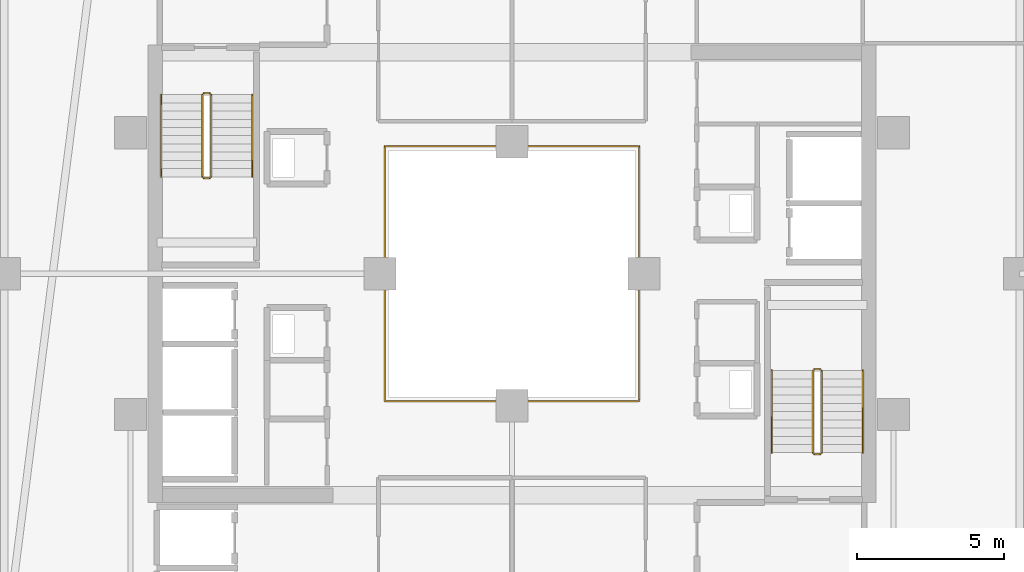
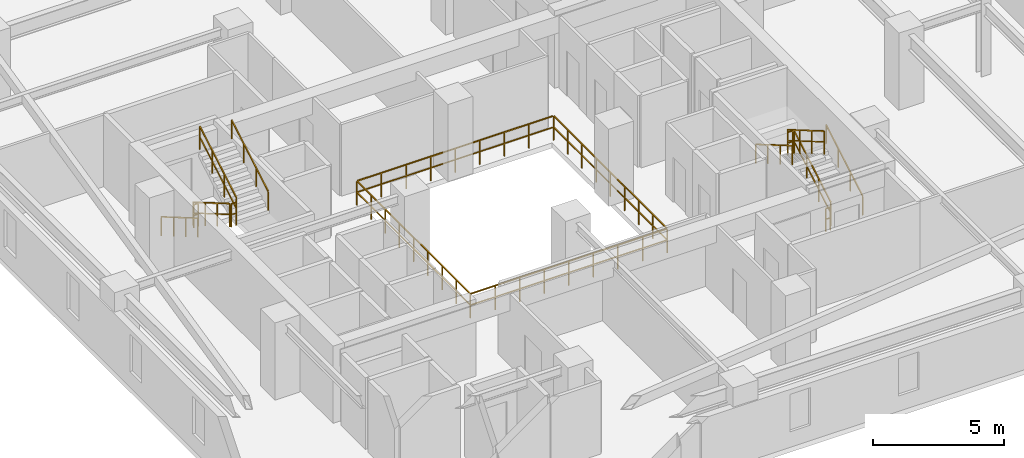
# One storey, part 31 of 32: 13 railings.
"""IFC4 building model written with IfcOpenShell, lengths in metres."""

import ifcopenshell
import ifcopenshell.guid

model = None  # the IFC model being written
_history = None  # IfcOwnerHistory: only IFC2X3 demands one
_inside = {}  # id of a spatial element -> (the spatial element, [elements in it])
_under = {}  # id of a project, library or spatial element -> (it, [spatial elements below it])
_declared = {}  # id of a project -> (the project, [libraries it declares])
_typed = {}  # id of a type object -> (the type object, [elements of that type])
_made_of = {}  # id of a material, layer set ... -> (it, [elements and type objects made of it])


def new_model(schema):
    """Start an empty IFC model of exactly this schema.

    Asked for "IFC4X3", IfcOpenShell would pick the latest addendum, in which some entities
    have other attributes; the version numbers below select the first issue.
    IFC2X3 requires an IfcOwnerHistory on every rooted entity: one is made here for all.
    """
    global model, _history
    if schema == "IFC4X3":
        model = ifcopenshell.file(schema_version=(4, 3, 0, 0))
    else:
        model = ifcopenshell.file(schema=schema)
    _inside.clear()
    _under.clear()
    _declared.clear()
    _typed.clear()
    _made_of.clear()
    _history = None
    if model.schema == "IFC2X3":
        org = make("IfcOrganization", Name="unknown")
        user = make(
            "IfcPersonAndOrganization",
            ThePerson=make("IfcPerson", FamilyName="unknown"),
            TheOrganization=org,
        )
        app = make(
            "IfcApplication",
            ApplicationDeveloper=org,
            Version="unknown",
            ApplicationFullName="unknown",
            ApplicationIdentifier="unknown",
        )
        _history = make(
            "IfcOwnerHistory",
            OwningUser=user,
            OwningApplication=app,
            ChangeAction="ADDED",
            CreationDate=0,
        )
    return model


def make(cls, **values):
    """One entity of the class cls with the attributes given. An attribute that is None is left unset."""
    return model.create_entity(
        cls, **{name: value for name, value in values.items() if value is not None}
    )


def rooted(cls, **values):
    """An entity with a GlobalId (a new one), such as an element, a storey or a relation."""
    return make(cls, GlobalId=ifcopenshell.guid.new(), OwnerHistory=_history, **values)


def si_unit(unit_type, name, prefix=None):
    """IfcSIUnit, for example si_unit("LENGTHUNIT", "METRE", prefix="MILLI")."""
    return make("IfcSIUnit", UnitType=unit_type, Prefix=prefix, Name=name)


def assignment(units):
    """IfcUnitAssignment: the units of a project."""
    return None if units is None else make("IfcUnitAssignment", Units=units)


def point(xyz):
    """IfcCartesianPoint."""
    return None if xyz is None else make("IfcCartesianPoint", Coordinates=xyz)


def direction(xyz):
    """IfcDirection."""
    return None if xyz is None else make("IfcDirection", DirectionRatios=xyz)


def frame(location, z_axis=None, x_axis=None):
    """IfcAxis2Placement3D, a coordinate frame: its origin and axes. An axis left out is left unset."""
    return make(
        "IfcAxis2Placement3D",
        Location=point(location),
        Axis=direction(z_axis),
        RefDirection=direction(x_axis),
    )


def frame_2d(location, x_axis=None):
    """IfcAxis2Placement2D, a coordinate frame in the plane: its origin and x axis."""
    return make(
        "IfcAxis2Placement2D", Location=point(location), RefDirection=direction(x_axis)
    )


def origin():
    """The frame at (0, 0, 0) with its axes left unset."""
    return frame((0.0, 0.0, 0.0))


def origin_2d():
    """The frame at (0, 0) in the plane with its x axis left unset."""
    return frame_2d((0.0, 0.0))


def place(relative_to, where):
    """IfcLocalPlacement: puts the frame where relative to a parent placement (None: the world)."""
    return make(
        "IfcLocalPlacement", PlacementRelTo=relative_to, RelativePlacement=where
    )


def context(
    kind, dimensions, precision=None, world=None, true_north=None, identifier=None
):
    """IfcGeometricRepresentationContext, for example the 3D "Model" context."""
    return make(
        "IfcGeometricRepresentationContext",
        ContextIdentifier=identifier,
        ContextType=kind,
        CoordinateSpaceDimension=dimensions,
        Precision=precision,
        WorldCoordinateSystem=world,
        TrueNorth=true_north,
    )


def subcontext(parent, identifier, kind, view, scale=None):
    """IfcGeometricRepresentationSubContext, for example "Body" below "Model"."""
    return make(
        "IfcGeometricRepresentationSubContext",
        ContextIdentifier=identifier,
        ContextType=kind,
        ParentContext=parent,
        TargetScale=scale,
        TargetView=view,
    )


def project(units=None, contexts=None):
    """IfcProject with its units and contexts."""
    return rooted(
        "IfcProject",
        Name="project",
        RepresentationContexts=contexts,
        UnitsInContext=assignment(units),
    )


def spatial(cls, under=None, at=None, **own):
    """A site, building, storey or space (cls), placed at a placement, below another one or the project."""
    s = rooted(cls, ObjectPlacement=at, **own)
    if under is not None:
        _under.setdefault(under.id(), (under, []))[1].append(s)
    return s


def profile(cls, at=None, kind="AREA", **sizes):
    """A parametric profile (cls). Its sizes go by their IFC names, for example OverallWidth=200.0."""
    return make(cls, ProfileType=kind, Position=at, **sizes)


def rectangle(**sizes):
    """IfcRectangleProfileDef."""
    return profile("IfcRectangleProfileDef", **sizes)


def extrude(swept, where, along, depth):
    """IfcExtrudedAreaSolid: the profile swept, set in the frame where, extruded along a direction by depth."""
    return make(
        "IfcExtrudedAreaSolid",
        SweptArea=swept,
        Position=where,
        ExtrudedDirection=direction(along),
        Depth=depth,
    )


def shape(context_of_items, identifier, shape_type, items):
    """IfcShapeRepresentation: the items that make up one representation, for example the "Body"."""
    return make(
        "IfcShapeRepresentation",
        ContextOfItems=context_of_items,
        RepresentationIdentifier=identifier,
        RepresentationType=shape_type,
        Items=items,
    )


def material(Name=None, Category=None):
    """IfcMaterial."""
    return make("IfcMaterial", Name=Name, Category=Category)


def made_of(thing, what):
    """Note that an element or type object is made of a material, layer set ...; save() writes the relation."""
    if what is not None:
        _made_of.setdefault(what.id(), (what, []))[1].append(thing)
    return thing


def type_object(cls, material=None, **own):
    """A type object (cls), such as IfcWallType, which elements share."""
    return made_of(rooted(cls, **own), material)


def element(
    cls,
    number,
    at=None,
    inside=None,
    cuts=None,
    type_object=None,
    material=None,
    context=None,
    identifier="Body",
    shape_type=None,
    held_by="IfcProductDefinitionShape",
    body=None,
    shapes=None,
    **own,
):
    """One element of the class cls, such as IfcWall. Its Tag is "e" and its number.

    at: its placement. inside: the storey or other place that contains it. cuts: it is an
    opening in that element (IfcRelVoidsElement). A single representation is given by context,
    identifier, shape_type and body (its items); several are given by shapes. held_by: the class
    of the entity that holds the representations. save() writes the other relations.
    """
    e = rooted(cls, Tag="e%d" % number, ObjectPlacement=at, **own)
    if body is not None:
        shapes = [shape(context, identifier, shape_type, body)]
    if shapes is not None:
        e.Representation = make(held_by, Representations=shapes)
    if inside is not None:
        _inside.setdefault(inside.id(), (inside, []))[1].append(e)
    if cuts is not None:
        rooted(
            "IfcRelVoidsElement", RelatingBuildingElement=cuts, RelatedOpeningElement=e
        )
    if type_object is not None:
        _typed.setdefault(type_object.id(), (type_object, []))[1].append(e)
    return made_of(e, material)


def aggregate(whole, parts):
    """IfcRelAggregates: a whole, such as a stair, and the parts it consists of."""
    return rooted("IfcRelAggregates", RelatingObject=whole, RelatedObjects=parts)


def save(model, path):
    """Write the relations noted so far, then the file.

    IfcRelAggregates (storeys below a building ...), IfcRelContainedInSpatialStructure (elements
    in a storey), IfcRelDefinesByType, IfcRelAssociatesMaterial and IfcRelDeclares: one each for
    every whole, place, type object, material and project.
    """
    for whole, parts in _under.values():
        aggregate(whole, parts)
    for where, things in _inside.values():
        rooted(
            "IfcRelContainedInSpatialStructure",
            RelatedElements=things,
            RelatingStructure=where,
        )
    for kind, things in _typed.values():
        rooted("IfcRelDefinesByType", RelatedObjects=things, RelatingType=kind)
    for what, things in _made_of.values():
        rooted("IfcRelAssociatesMaterial", RelatedObjects=things, RelatingMaterial=what)
    for by, libraries in _declared.values():
        rooted("IfcRelDeclares", RelatingContext=by, RelatedDefinitions=libraries)
    model.write(path)


model = new_model("IFC4")

# Units and contexts
model_context = context("Model", 3, precision=1e-05, world=origin(), true_north=direction((0.0, 1.0)))
body_context = subcontext(model_context, "Body", "Model", "MODEL_VIEW")
ifc_project = project(units=[si_unit("LENGTHUNIT", "METRE"), si_unit("AREAUNIT", "SQUARE_METRE"), si_unit("VOLUMEUNIT", "CUBIC_METRE"), si_unit("PLANEANGLEUNIT", "RADIAN"), si_unit("MASSUNIT", "GRAM", prefix="KILO")], contexts=[model_context])

# Site, building, storey
site_placement = place(None, origin())
site = spatial("IfcSite", under=ifc_project, at=site_placement, CompositionType="ELEMENT")
building_placement = place(site_placement, origin())
building = spatial("IfcBuilding", under=site, at=building_placement, Name="Thornwick Lancets Civic Towers", CompositionType="ELEMENT")
storey_placement = place(building_placement, frame((0.0, 0.0, 156.300048828125)))
storey = spatial("IfcBuildingStorey", under=building, at=storey_placement, Name="L41", CompositionType="ELEMENT", Elevation=156.300048828125)

# Railings
ifc_material_1 = material(Name="Laminated glass and bronze steel S355", Category="steel")
railing_type_1 = type_object("IfcRailingType", Name="RAIL_ATRIUM_GUARD", PredefinedType="BALUSTRADE", material=ifc_material_1)
railing_1_placement = place(storey_placement, frame((84.159912109375, 22.659912109375, 0.0)))
element("IfcRailing", 1, at=railing_1_placement, inside=storey, type_object=railing_type_1, Name="L41 Tower B Central Atrium Guard Balustrade", PredefinedType="BALUSTRADE", context=body_context, shape_type="SweptSolid", body=[
    extrude(rectangle(XDim=0.048095703125, YDim=0.048095703125, at=origin_2d()), frame((0.0, 0.0, 1.1259765625), z_axis=(1.0, 0.0, 0.0), x_axis=(0.0, 1.0, 0.0)), (0.0, 0.0, 1.0), 8.64892578125),
    extrude(rectangle(XDim=0.0419921875, YDim=0.0419921875, at=origin_2d()), frame((0.03759765625, 0.0, 0.597900390625), z_axis=(1.0, 0.0, 0.0), x_axis=(0.0, 1.0, 0.0)), (0.0, 0.0, 1.0), 1.010009765625),
    extrude(rectangle(XDim=0.0419921875, YDim=0.0419921875, at=origin_2d()), frame((1.12255859375, 0.0, 0.597900390625), z_axis=(1.0, 0.0, 0.0), x_axis=(0.0, 1.0, 0.0)), (0.0, 0.0, 1.0), 1.010009765625),
    extrude(rectangle(XDim=0.0419921875, YDim=0.0419921875, at=origin_2d()), frame((2.20751953125, 0.0, 0.597900390625), z_axis=(1.0, 0.0, 0.0), x_axis=(0.0, 1.0, 0.0)), (0.0, 0.0, 1.0), 1.010009765625),
    extrude(rectangle(XDim=0.0419921875, YDim=0.0419921875, at=origin_2d()), frame((3.29248046875, 0.0, 0.597900390625), z_axis=(1.0, 0.0, 0.0), x_axis=(0.0, 1.0, 0.0)), (0.0, 0.0, 1.0), 1.010009765625),
    extrude(rectangle(XDim=0.0419921875, YDim=0.0419921875, at=origin_2d()), frame((4.377685546875, 0.0, 0.597900390625), z_axis=(1.0, 0.0, 0.0), x_axis=(0.0, 1.0, 0.0)), (0.0, 0.0, 1.0), 1.010009765625),
    extrude(rectangle(XDim=0.0419921875, YDim=0.0419921875, at=origin_2d()), frame((5.462646484375, 0.0, 0.597900390625), z_axis=(1.0, 0.0, 0.0), x_axis=(0.0, 1.0, 0.0)), (0.0, 0.0, 1.0), 1.010009765625),
    extrude(rectangle(XDim=0.0419921875, YDim=0.0419921875, at=origin_2d()), frame((6.547607421875, 0.0, 0.597900390625), z_axis=(1.0, 0.0, 0.0), x_axis=(0.0, 1.0, 0.0)), (0.0, 0.0, 1.0), 1.010009765625),
    extrude(rectangle(XDim=0.0419921875, YDim=0.0419921875, at=origin_2d()), frame((7.632568359375, 0.0, 0.597900390625), z_axis=(1.0, 0.0, 0.0), x_axis=(0.0, 1.0, 0.0)), (0.0, 0.0, 1.0), 1.010009765625),
    extrude(rectangle(XDim=0.048095703125, YDim=0.048095703125, at=origin_2d()), frame((8.68017578125, 0.03125, 1.1259765625), z_axis=(0.0, 1.0, 0.0), x_axis=(-1.0, 0.0, 0.0)), (0.0, 0.0, 1.0), 8.61767578125),
    extrude(rectangle(XDim=0.0419921875, YDim=0.0419921875, at=origin_2d()), frame((8.68017578125, 0.03759765625, 0.597900390625), z_axis=(0.0, 1.0, 0.0), x_axis=(-1.0, 0.0, 0.0)), (0.0, 0.0, 1.0), 1.010009765625),
    extrude(rectangle(XDim=0.0419921875, YDim=0.0419921875, at=origin_2d()), frame((8.68017578125, 1.12255859375, 0.597900390625), z_axis=(0.0, 1.0, 0.0), x_axis=(-1.0, 0.0, 0.0)), (0.0, 0.0, 1.0), 1.010009765625),
    extrude(rectangle(XDim=0.0419921875, YDim=0.0419921875, at=origin_2d()), frame((8.68017578125, 2.20751953125, 0.597900390625), z_axis=(0.0, 1.0, 0.0), x_axis=(-1.0, 0.0, 0.0)), (0.0, 0.0, 1.0), 1.010009765625),
    extrude(rectangle(XDim=0.0419921875, YDim=0.0419921875, at=origin_2d()), frame((8.68017578125, 3.29248046875, 0.597900390625), z_axis=(0.0, 1.0, 0.0), x_axis=(-1.0, 0.0, 0.0)), (0.0, 0.0, 1.0), 1.010009765625),
    extrude(rectangle(XDim=0.0419921875, YDim=0.0419921875, at=origin_2d()), frame((8.68017578125, 4.377685546875, 0.597900390625), z_axis=(0.0, 1.0, 0.0), x_axis=(-1.0, 0.0, 0.0)), (0.0, 0.0, 1.0), 1.010009765625),
    extrude(rectangle(XDim=0.0419921875, YDim=0.0419921875, at=origin_2d()), frame((8.68017578125, 5.462646484375, 0.597900390625), z_axis=(0.0, 1.0, 0.0), x_axis=(-1.0, 0.0, 0.0)), (0.0, 0.0, 1.0), 1.010009765625),
    extrude(rectangle(XDim=0.0419921875, YDim=0.0419921875, at=origin_2d()), frame((8.68017578125, 6.547607421875, 0.597900390625), z_axis=(0.0, 1.0, 0.0), x_axis=(-1.0, 0.0, 0.0)), (0.0, 0.0, 1.0), 1.010009765625),
    extrude(rectangle(XDim=0.0419921875, YDim=0.0419921875, at=origin_2d()), frame((8.68017578125, 7.632568359375, 0.597900390625), z_axis=(0.0, 1.0, 0.0), x_axis=(-1.0, 0.0, 0.0)), (0.0, 0.0, 1.0), 1.010009765625),
    extrude(rectangle(XDim=0.048095703125, YDim=0.048095703125, at=origin_2d()), frame((8.64892578125, 8.68017578125, 1.1259765625), z_axis=(-1.0, 0.0, 0.0), x_axis=(0.0, -1.0, 0.0)), (0.0, 0.0, 1.0), 8.61767578125),
    extrude(rectangle(XDim=0.0419921875, YDim=0.0419921875, at=origin_2d()), frame((8.642578125, 8.68017578125, 0.597900390625), z_axis=(-1.0, 0.0, 0.0), x_axis=(0.0, -1.0, 0.0)), (0.0, 0.0, 1.0), 1.010009765625),
    extrude(rectangle(XDim=0.0419921875, YDim=0.0419921875, at=origin_2d()), frame((7.5576171875, 8.68017578125, 0.597900390625), z_axis=(-1.0, 0.0, 0.0), x_axis=(0.0, -1.0, 0.0)), (0.0, 0.0, 1.0), 1.010009765625),
    extrude(rectangle(XDim=0.0419921875, YDim=0.0419921875, at=origin_2d()), frame((6.47265625, 8.68017578125, 0.597900390625), z_axis=(-1.0, 0.0, 0.0), x_axis=(0.0, -1.0, 0.0)), (0.0, 0.0, 1.0), 1.010009765625),
    extrude(rectangle(XDim=0.0419921875, YDim=0.0419921875, at=origin_2d()), frame((5.3876953125, 8.68017578125, 0.597900390625), z_axis=(-1.0, 0.0, 0.0), x_axis=(0.0, -1.0, 0.0)), (0.0, 0.0, 1.0), 1.010009765625),
    extrude(rectangle(XDim=0.0419921875, YDim=0.0419921875, at=origin_2d()), frame((4.302490234375, 8.68017578125, 0.597900390625), z_axis=(-1.0, 0.0, 0.0), x_axis=(0.0, -1.0, 0.0)), (0.0, 0.0, 1.0), 1.010009765625),
    extrude(rectangle(XDim=0.0419921875, YDim=0.0419921875, at=origin_2d()), frame((3.217529296875, 8.68017578125, 0.597900390625), z_axis=(-1.0, 0.0, 0.0), x_axis=(0.0, -1.0, 0.0)), (0.0, 0.0, 1.0), 1.010009765625),
    extrude(rectangle(XDim=0.0419921875, YDim=0.0419921875, at=origin_2d()), frame((2.132568359375, 8.68017578125, 0.597900390625), z_axis=(-1.0, 0.0, 0.0), x_axis=(0.0, -1.0, 0.0)), (0.0, 0.0, 1.0), 1.010009765625),
    extrude(rectangle(XDim=0.0419921875, YDim=0.0419921875, at=origin_2d()), frame((1.047607421875, 8.68017578125, 0.597900390625), z_axis=(-1.0, 0.0, 0.0), x_axis=(0.0, -1.0, 0.0)), (0.0, 0.0, 1.0), 1.010009765625),
    extrude(rectangle(XDim=0.048095703125, YDim=0.048095703125, at=origin_2d()), frame((0.0, 8.64892578125, 1.1259765625), z_axis=(0.0, -1.0, 0.0), x_axis=(1.0, 0.0, 0.0)), (0.0, 0.0, 1.0), 8.64892578125),
    extrude(rectangle(XDim=0.0419921875, YDim=0.0419921875, at=origin_2d()), frame((0.0, 8.642578125, 0.597900390625), z_axis=(0.0, -1.0, 0.0), x_axis=(1.0, 0.0, 0.0)), (0.0, 0.0, 1.0), 1.010009765625),
    extrude(rectangle(XDim=0.0419921875, YDim=0.0419921875, at=origin_2d()), frame((0.0, 7.5576171875, 0.597900390625), z_axis=(0.0, -1.0, 0.0), x_axis=(1.0, 0.0, 0.0)), (0.0, 0.0, 1.0), 1.010009765625),
    extrude(rectangle(XDim=0.0419921875, YDim=0.0419921875, at=origin_2d()), frame((0.0, 6.47265625, 0.597900390625), z_axis=(0.0, -1.0, 0.0), x_axis=(1.0, 0.0, 0.0)), (0.0, 0.0, 1.0), 1.010009765625),
    extrude(rectangle(XDim=0.0419921875, YDim=0.0419921875, at=origin_2d()), frame((0.0, 5.3876953125, 0.597900390625), z_axis=(0.0, -1.0, 0.0), x_axis=(1.0, 0.0, 0.0)), (0.0, 0.0, 1.0), 1.010009765625),
    extrude(rectangle(XDim=0.0419921875, YDim=0.0419921875, at=origin_2d()), frame((0.0, 4.302490234375, 0.597900390625), z_axis=(0.0, -1.0, 0.0), x_axis=(1.0, 0.0, 0.0)), (0.0, 0.0, 1.0), 1.010009765625),
    extrude(rectangle(XDim=0.0419921875, YDim=0.0419921875, at=origin_2d()), frame((0.0, 3.217529296875, 0.597900390625), z_axis=(0.0, -1.0, 0.0), x_axis=(1.0, 0.0, 0.0)), (0.0, 0.0, 1.0), 1.010009765625),
    extrude(rectangle(XDim=0.0419921875, YDim=0.0419921875, at=origin_2d()), frame((0.0, 2.132568359375, 0.597900390625), z_axis=(0.0, -1.0, 0.0), x_axis=(1.0, 0.0, 0.0)), (0.0, 0.0, 1.0), 1.010009765625),
    extrude(rectangle(XDim=0.0419921875, YDim=0.0419921875, at=origin_2d()), frame((0.0, 1.047607421875, 0.597900390625), z_axis=(0.0, -1.0, 0.0), x_axis=(1.0, 0.0, 0.0)), (0.0, 0.0, 1.0), 1.010009765625),
    extrude(rectangle(XDim=0.0419921875, YDim=0.0419921875, at=origin_2d()), origin(), (0.0, 0.0, 1.0), 1.095703125),
    extrude(rectangle(XDim=0.0419921875, YDim=0.0419921875, at=origin_2d()), frame((1.0849609375, 0.0, 0.0)), (0.0, 0.0, 1.0), 1.095703125),
    extrude(rectangle(XDim=0.0419921875, YDim=0.0419921875, at=origin_2d()), frame((2.169921875, 0.0, 0.0)), (0.0, 0.0, 1.0), 1.095703125),
    extrude(rectangle(XDim=0.0419921875, YDim=0.0419921875, at=origin_2d()), frame((3.255126953125, 0.0, 0.0)), (0.0, 0.0, 1.0), 1.095703125),
    extrude(rectangle(XDim=0.0419921875, YDim=0.0419921875, at=origin_2d()), frame((4.340087890625, 0.0, 0.0)), (0.0, 0.0, 1.0), 1.095703125),
    extrude(rectangle(XDim=0.0419921875, YDim=0.0419921875, at=origin_2d()), frame((5.425048828125, 0.0, 0.0)), (0.0, 0.0, 1.0), 1.095703125),
    extrude(rectangle(XDim=0.0419921875, YDim=0.0419921875, at=origin_2d()), frame((6.51025390625, 0.0, 0.0)), (0.0, 0.0, 1.0), 1.095703125),
    extrude(rectangle(XDim=0.0419921875, YDim=0.0419921875, at=origin_2d()), frame((7.59521484375, 0.0, 0.0)), (0.0, 0.0, 1.0), 1.095703125),
    extrude(rectangle(XDim=0.0419921875, YDim=0.0419921875, at=origin_2d()), frame((8.68017578125, 0.0, 0.0)), (0.0, 0.0, 1.0), 1.095703125),
    extrude(rectangle(XDim=0.0419921875, YDim=0.0419921875, at=origin_2d()), frame((8.68017578125, 1.0849609375, 0.0)), (0.0, 0.0, 1.0), 1.095703125),
    extrude(rectangle(XDim=0.0419921875, YDim=0.0419921875, at=origin_2d()), frame((8.68017578125, 2.169921875, 0.0)), (0.0, 0.0, 1.0), 1.095703125),
    extrude(rectangle(XDim=0.0419921875, YDim=0.0419921875, at=origin_2d()), frame((8.68017578125, 3.255126953125, 0.0)), (0.0, 0.0, 1.0), 1.095703125),
    extrude(rectangle(XDim=0.0419921875, YDim=0.0419921875, at=origin_2d()), frame((8.68017578125, 4.340087890625, 0.0)), (0.0, 0.0, 1.0), 1.095703125),
    extrude(rectangle(XDim=0.0419921875, YDim=0.0419921875, at=origin_2d()), frame((8.68017578125, 5.425048828125, 0.0)), (0.0, 0.0, 1.0), 1.095703125),
    extrude(rectangle(XDim=0.0419921875, YDim=0.0419921875, at=origin_2d()), frame((8.68017578125, 6.51025390625, 0.0)), (0.0, 0.0, 1.0), 1.095703125),
    extrude(rectangle(XDim=0.0419921875, YDim=0.0419921875, at=origin_2d()), frame((8.68017578125, 7.59521484375, 0.0)), (0.0, 0.0, 1.0), 1.095703125),
    extrude(rectangle(XDim=0.0419921875, YDim=0.0419921875, at=origin_2d()), frame((8.68017578125, 8.68017578125, 0.0)), (0.0, 0.0, 1.0), 1.095703125),
    extrude(rectangle(XDim=0.0419921875, YDim=0.0419921875, at=origin_2d()), frame((7.59521484375, 8.68017578125, 0.0)), (0.0, 0.0, 1.0), 1.095703125),
    extrude(rectangle(XDim=0.0419921875, YDim=0.0419921875, at=origin_2d()), frame((6.51025390625, 8.68017578125, 0.0)), (0.0, 0.0, 1.0), 1.095703125),
    extrude(rectangle(XDim=0.0419921875, YDim=0.0419921875, at=origin_2d()), frame((5.425048828125, 8.68017578125, 0.0)), (0.0, 0.0, 1.0), 1.095703125),
    extrude(rectangle(XDim=0.0419921875, YDim=0.0419921875, at=origin_2d()), frame((4.340087890625, 8.68017578125, 0.0)), (0.0, 0.0, 1.0), 1.095703125),
    extrude(rectangle(XDim=0.0419921875, YDim=0.0419921875, at=origin_2d()), frame((3.255126953125, 8.68017578125, 0.0)), (0.0, 0.0, 1.0), 1.095703125),
    extrude(rectangle(XDim=0.0419921875, YDim=0.0419921875, at=origin_2d()), frame((2.169921875, 8.68017578125, 0.0)), (0.0, 0.0, 1.0), 1.095703125),
    extrude(rectangle(XDim=0.0419921875, YDim=0.0419921875, at=origin_2d()), frame((1.0849609375, 8.68017578125, 0.0)), (0.0, 0.0, 1.0), 1.095703125),
    extrude(rectangle(XDim=0.0419921875, YDim=0.0419921875, at=origin_2d()), frame((0.0, 8.68017578125, 0.0)), (0.0, 0.0, 1.0), 1.095703125),
    extrude(rectangle(XDim=0.0419921875, YDim=0.0419921875, at=origin_2d()), frame((0.0, 7.59521484375, 0.0)), (0.0, 0.0, 1.0), 1.095703125),
    extrude(rectangle(XDim=0.0419921875, YDim=0.0419921875, at=origin_2d()), frame((0.0, 6.51025390625, 0.0)), (0.0, 0.0, 1.0), 1.095703125),
    extrude(rectangle(XDim=0.0419921875, YDim=0.0419921875, at=origin_2d()), frame((0.0, 5.425048828125, 0.0)), (0.0, 0.0, 1.0), 1.095703125),
    extrude(rectangle(XDim=0.0419921875, YDim=0.0419921875, at=origin_2d()), frame((0.0, 4.340087890625, 0.0)), (0.0, 0.0, 1.0), 1.095703125),
    extrude(rectangle(XDim=0.0419921875, YDim=0.0419921875, at=origin_2d()), frame((0.0, 3.255126953125, 0.0)), (0.0, 0.0, 1.0), 1.095703125),
    extrude(rectangle(XDim=0.0419921875, YDim=0.0419921875, at=origin_2d()), frame((0.0, 2.169921875, 0.0)), (0.0, 0.0, 1.0), 1.095703125),
    extrude(rectangle(XDim=0.0419921875, YDim=0.0419921875, at=origin_2d()), frame((0.0, 1.0849609375, 0.0)), (0.0, 0.0, 1.0), 1.095703125),
])
ifc_material_2 = material(Name="Brushed stainless steel S355", Category="steel")
railing_type_2 = type_object("IfcRailingType", Name="RAIL_HANDRAIL", PredefinedType="HANDRAIL", material=ifc_material_2)
railing_2_placement = place(storey_placement, frame((100.449951171875, 20.89990234375, 0.16357421875)))
element("IfcRailing", 2, at=railing_2_placement, inside=storey, type_object=railing_type_2, Name="L41 ST-B1 stair handrail 1", PredefinedType="HANDRAIL", context=body_context, shape_type="SweptSolid", body=[
    extrude(rectangle(XDim=0.048095703125, YDim=0.048095703125, at=origin_2d()), frame((0.0, 0.0, 0.8857421875), z_axis=(0.0, 0.863360870873, 0.504586966384), x_axis=(-1.0, 0.0, 0.0)), (0.0, 0.0, 1.0), 3.2431640625),
    extrude(rectangle(XDim=0.0419921875, YDim=0.0419921875, at=origin_2d()), origin(), (0.0, 0.0, 1.0), 0.855712890625),
    extrude(rectangle(XDim=0.0419921875, YDim=0.0419921875, at=origin_2d()), frame((0.0, 0.933349609375, 0.54541015625)), (0.0, 0.0, 1.0), 0.855712890625),
    extrude(rectangle(XDim=0.0419921875, YDim=0.0419921875, at=origin_2d()), frame((0.0, 1.86669921875, 1.091064453125)), (0.0, 0.0, 1.0), 0.855712890625),
    extrude(rectangle(XDim=0.0419921875, YDim=0.0419921875, at=origin_2d()), frame((0.0, 2.800048828125, 1.636474609375)), (0.0, 0.0, 1.0), 0.855712890625),
])
railing_3_placement = place(storey_placement, frame((97.35009765625, 23.699951171875, 1.963623046875)))
element("IfcRailing", 3, at=railing_3_placement, inside=storey, type_object=railing_type_2, Name="L41 ST-B1 stair handrail 2", PredefinedType="HANDRAIL", context=body_context, shape_type="SweptSolid", body=[
    extrude(rectangle(XDim=0.048095703125, YDim=0.048095703125, at=origin_2d()), frame((0.0, 0.0, 0.8857421875), z_axis=(0.0, -0.863393664356, 0.504530851732), x_axis=(1.0, 0.0, 0.0)), (0.0, 0.0, 1.0), 3.2431640625),
    extrude(rectangle(XDim=0.0419921875, YDim=0.0419921875, at=origin_2d()), origin(), (0.0, 0.0, 1.0), 0.855712890625),
    extrude(rectangle(XDim=0.0419921875, YDim=0.0419921875, at=origin_2d()), frame((0.0, -0.933349609375, 0.54541015625)), (0.0, 0.0, 1.0), 0.855712890625),
    extrude(rectangle(XDim=0.0419921875, YDim=0.0419921875, at=origin_2d()), frame((0.0, -1.86669921875, 1.0908203125)), (0.0, 0.0, 1.0), 0.855712890625),
    extrude(rectangle(XDim=0.0419921875, YDim=0.0419921875, at=origin_2d()), frame((0.0, -2.800048828125, 1.63623046875)), (0.0, 0.0, 1.0), 0.855712890625),
])
railing_4_placement = place(storey_placement, frame((76.550048828125, 33.10009765625, 0.16357421875)))
element("IfcRailing", 4, at=railing_4_placement, inside=storey, type_object=railing_type_2, Name="L41 ST-B2 stair handrail 1", PredefinedType="HANDRAIL", context=body_context, shape_type="SweptSolid", body=[
    extrude(rectangle(XDim=0.048095703125, YDim=0.048095703125, at=origin_2d()), frame((0.0, 0.0, 0.8857421875), z_axis=(0.0, -0.863360870873, 0.504586966384), x_axis=(1.0, 0.0, 0.0)), (0.0, 0.0, 1.0), 3.2431640625),
    extrude(rectangle(XDim=0.0419921875, YDim=0.0419921875, at=origin_2d()), origin(), (0.0, 0.0, 1.0), 0.855712890625),
    extrude(rectangle(XDim=0.0419921875, YDim=0.0419921875, at=origin_2d()), frame((0.0, -0.933349609375, 0.54541015625)), (0.0, 0.0, 1.0), 0.855712890625),
    extrude(rectangle(XDim=0.0419921875, YDim=0.0419921875, at=origin_2d()), frame((0.0, -1.86669921875, 1.091064453125)), (0.0, 0.0, 1.0), 0.855712890625),
    extrude(rectangle(XDim=0.0419921875, YDim=0.0419921875, at=origin_2d()), frame((0.0, -2.800048828125, 1.636474609375)), (0.0, 0.0, 1.0), 0.855712890625),
])
railing_5_placement = place(storey_placement, frame((79.64990234375, 30.300048828125, 1.963623046875)))
element("IfcRailing", 5, at=railing_5_placement, inside=storey, type_object=railing_type_2, Name="L41 ST-B2 stair handrail 2", PredefinedType="HANDRAIL", context=body_context, shape_type="SweptSolid", body=[
    extrude(rectangle(XDim=0.048095703125, YDim=0.048095703125, at=origin_2d()), frame((0.0, 0.0, 0.8857421875), z_axis=(0.0, 0.863393664356, 0.504530851732), x_axis=(-1.0, 0.0, 0.0)), (0.0, 0.0, 1.0), 3.2431640625),
    extrude(rectangle(XDim=0.0419921875, YDim=0.0419921875, at=origin_2d()), origin(), (0.0, 0.0, 1.0), 0.855712890625),
    extrude(rectangle(XDim=0.0419921875, YDim=0.0419921875, at=origin_2d()), frame((0.0, 0.933349609375, 0.54541015625)), (0.0, 0.0, 1.0), 0.855712890625),
    extrude(rectangle(XDim=0.0419921875, YDim=0.0419921875, at=origin_2d()), frame((0.0, 1.86669921875, 1.0908203125)), (0.0, 0.0, 1.0), 0.855712890625),
    extrude(rectangle(XDim=0.0419921875, YDim=0.0419921875, at=origin_2d()), frame((0.0, 2.800048828125, 1.63623046875)), (0.0, 0.0, 1.0), 0.855712890625),
])
ifc_material_3 = material(Name="Steel S355JR", Category="steel")
railing_type_3 = type_object("IfcRailingType", Name="RAIL_STAIR_GUARD", PredefinedType="GUARDRAIL", material=ifc_material_3)
railing_6_placement = place(storey_placement, frame((99.050048828125, 20.89990234375, 0.16357421875)))
element("IfcRailing", 6, at=railing_6_placement, inside=storey, type_object=railing_type_3, Name="L41 ST-B1 stair guard 1", PredefinedType="GUARDRAIL", context=body_context, shape_type="SweptSolid", body=[
    extrude(rectangle(XDim=0.048095703125, YDim=0.048095703125, at=origin_2d()), frame((0.0, 0.0, 1.076171875), z_axis=(0.0, 0.863360870873, 0.504586966384), x_axis=(-1.0, 0.0, 0.0)), (0.0, 0.0, 1.0), 3.2431640625),
    extrude(rectangle(XDim=0.0419921875, YDim=0.0419921875, at=origin_2d()), frame((0.0, 0.032470703125, 0.591064453125), z_axis=(0.0, 0.863360870873, 0.504586966384), x_axis=(-1.0, 0.0, 0.0)), (0.0, 0.0, 1.0), 1.006103515625),
    extrude(rectangle(XDim=0.0419921875, YDim=0.0419921875, at=origin_2d()), frame((0.0, 0.9658203125, 1.136474609375), z_axis=(0.0, 0.863360870873, 0.504586966384), x_axis=(-1.0, 0.0, 0.0)), (0.0, 0.0, 1.0), 1.006103515625),
    extrude(rectangle(XDim=0.0419921875, YDim=0.0419921875, at=origin_2d()), frame((0.0, 1.899169921875, 1.681884765625), z_axis=(0.0, 0.863360870873, 0.504586966384), x_axis=(-1.0, 0.0, 0.0)), (0.0, 0.0, 1.0), 1.006103515625),
    extrude(rectangle(XDim=0.0419921875, YDim=0.0419921875, at=origin_2d()), origin(), (0.0, 0.0, 1.0), 1.0458984375),
    extrude(rectangle(XDim=0.0419921875, YDim=0.0419921875, at=origin_2d()), frame((0.0, 0.933349609375, 0.54541015625)), (0.0, 0.0, 1.0), 1.0458984375),
    extrude(rectangle(XDim=0.0419921875, YDim=0.0419921875, at=origin_2d()), frame((0.0, 1.86669921875, 1.091064453125)), (0.0, 0.0, 1.0), 1.0458984375),
    extrude(rectangle(XDim=0.0419921875, YDim=0.0419921875, at=origin_2d()), frame((0.0, 2.800048828125, 1.636474609375)), (0.0, 0.0, 1.0), 1.0458984375),
])
railing_7_placement = place(storey_placement, frame((99.0, 23.75, 1.800048828125)))
element("IfcRailing", 7, at=railing_7_placement, inside=storey, type_object=railing_type_3, Name="L41 ST-B1 stair guard 2", PredefinedType="GUARDRAIL", context=body_context, shape_type="SweptSolid", body=[
    extrude(rectangle(XDim=0.048095703125, YDim=0.048095703125, at=origin_2d()), frame((0.0, 0.0, 1.076171875), z_axis=(-1.0, 0.0, 0.0), x_axis=(0.0, -1.0, 0.0)), (0.0, 0.0, 1.0), 0.199951171875),
    extrude(rectangle(XDim=0.0419921875, YDim=0.0419921875, at=origin_2d()), frame((-0.03759765625, 0.0, 0.572021484375), z_axis=(-1.0, 0.0, 0.0), x_axis=(0.0, -1.0, 0.0)), (0.0, 0.0, 1.0), 0.125),
    extrude(rectangle(XDim=0.0419921875, YDim=0.0419921875, at=origin_2d()), origin(), (0.0, 0.0, 1.0), 1.0458984375),
    extrude(rectangle(XDim=0.0419921875, YDim=0.0419921875, at=origin_2d()), frame((-0.199951171875, 0.0, 0.0)), (0.0, 0.0, 1.0), 1.0458984375),
])
railing_8_placement = place(storey_placement, frame((98.75, 23.699951171875, 1.963623046875)))
element("IfcRailing", 8, at=railing_8_placement, inside=storey, type_object=railing_type_3, Name="L41 ST-B1 stair guard 3", PredefinedType="GUARDRAIL", context=body_context, shape_type="SweptSolid", body=[
    extrude(rectangle(XDim=0.048095703125, YDim=0.048095703125, at=origin_2d()), frame((0.0, 0.0, 1.076171875), z_axis=(0.0, -0.863393664356, 0.504530851732), x_axis=(1.0, 0.0, 0.0)), (0.0, 0.0, 1.0), 3.2431640625),
    extrude(rectangle(XDim=0.0419921875, YDim=0.0419921875, at=origin_2d()), frame((0.0, -0.032470703125, 0.591064453125), z_axis=(0.0, -0.863393664356, 0.504530851732), x_axis=(1.0, 0.0, 0.0)), (0.0, 0.0, 1.0), 1.006103515625),
    extrude(rectangle(XDim=0.0419921875, YDim=0.0419921875, at=origin_2d()), frame((0.0, -0.9658203125, 1.136474609375), z_axis=(0.0, -0.863393664356, 0.504530851732), x_axis=(1.0, 0.0, 0.0)), (0.0, 0.0, 1.0), 1.006103515625),
    extrude(rectangle(XDim=0.0419921875, YDim=0.0419921875, at=origin_2d()), frame((0.0, -1.899169921875, 1.681884765625), z_axis=(0.0, -0.863393664356, 0.504530851732), x_axis=(1.0, 0.0, 0.0)), (0.0, 0.0, 1.0), 1.006103515625),
    extrude(rectangle(XDim=0.0419921875, YDim=0.0419921875, at=origin_2d()), origin(), (0.0, 0.0, 1.0), 1.0458984375),
    extrude(rectangle(XDim=0.0419921875, YDim=0.0419921875, at=origin_2d()), frame((0.0, -0.933349609375, 0.54541015625)), (0.0, 0.0, 1.0), 1.0458984375),
    extrude(rectangle(XDim=0.0419921875, YDim=0.0419921875, at=origin_2d()), frame((0.0, -1.86669921875, 1.0908203125)), (0.0, 0.0, 1.0), 1.0458984375),
    extrude(rectangle(XDim=0.0419921875, YDim=0.0419921875, at=origin_2d()), frame((0.0, -2.800048828125, 1.63623046875)), (0.0, 0.0, 1.0), 1.0458984375),
])
railing_9_placement = place(storey_placement, frame((99.0, 20.85009765625, 0.0)))
element("IfcRailing", 9, at=railing_9_placement, inside=storey, type_object=railing_type_3, Name="L41 ST-B1 stair guard 4", PredefinedType="GUARDRAIL", context=body_context, shape_type="SweptSolid", body=[
    extrude(rectangle(XDim=0.048095703125, YDim=0.048095703125, at=origin_2d()), frame((0.0, 0.0, 1.076171875), z_axis=(-1.0, 0.0, 0.0), x_axis=(0.0, -1.0, 0.0)), (0.0, 0.0, 1.0), 0.199951171875),
    extrude(rectangle(XDim=0.0419921875, YDim=0.0419921875, at=origin_2d()), frame((-0.03759765625, 0.0, 0.572021484375), z_axis=(-1.0, 0.0, 0.0), x_axis=(0.0, -1.0, 0.0)), (0.0, 0.0, 1.0), 0.125),
    extrude(rectangle(XDim=0.0419921875, YDim=0.0419921875, at=origin_2d()), origin(), (0.0, 0.0, 1.0), 1.0458984375),
    extrude(rectangle(XDim=0.0419921875, YDim=0.0419921875, at=origin_2d()), frame((-0.199951171875, 0.0, 0.0)), (0.0, 0.0, 1.0), 1.0458984375),
])
railing_10_placement = place(storey_placement, frame((77.949951171875, 33.10009765625, 0.16357421875)))
element("IfcRailing", 10, at=railing_10_placement, inside=storey, type_object=railing_type_3, Name="L41 ST-B2 stair guard 1", PredefinedType="GUARDRAIL", context=body_context, shape_type="SweptSolid", body=[
    extrude(rectangle(XDim=0.048095703125, YDim=0.048095703125, at=origin_2d()), frame((0.0, 0.0, 1.076171875), z_axis=(0.0, -0.863360870873, 0.504586966384), x_axis=(1.0, 0.0, 0.0)), (0.0, 0.0, 1.0), 3.2431640625),
    extrude(rectangle(XDim=0.0419921875, YDim=0.0419921875, at=origin_2d()), frame((0.0, -0.032470703125, 0.591064453125), z_axis=(0.0, -0.863360870873, 0.504586966384), x_axis=(1.0, 0.0, 0.0)), (0.0, 0.0, 1.0), 1.006103515625),
    extrude(rectangle(XDim=0.0419921875, YDim=0.0419921875, at=origin_2d()), frame((0.0, -0.9658203125, 1.136474609375), z_axis=(0.0, -0.863360870873, 0.504586966384), x_axis=(1.0, 0.0, 0.0)), (0.0, 0.0, 1.0), 1.006103515625),
    extrude(rectangle(XDim=0.0419921875, YDim=0.0419921875, at=origin_2d()), frame((0.0, -1.899169921875, 1.681884765625), z_axis=(0.0, -0.863360870873, 0.504586966384), x_axis=(1.0, 0.0, 0.0)), (0.0, 0.0, 1.0), 1.006103515625),
    extrude(rectangle(XDim=0.0419921875, YDim=0.0419921875, at=origin_2d()), origin(), (0.0, 0.0, 1.0), 1.0458984375),
    extrude(rectangle(XDim=0.0419921875, YDim=0.0419921875, at=origin_2d()), frame((0.0, -0.933349609375, 0.54541015625)), (0.0, 0.0, 1.0), 1.0458984375),
    extrude(rectangle(XDim=0.0419921875, YDim=0.0419921875, at=origin_2d()), frame((0.0, -1.86669921875, 1.091064453125)), (0.0, 0.0, 1.0), 1.0458984375),
    extrude(rectangle(XDim=0.0419921875, YDim=0.0419921875, at=origin_2d()), frame((0.0, -2.800048828125, 1.636474609375)), (0.0, 0.0, 1.0), 1.0458984375),
])
railing_11_placement = place(storey_placement, frame((78.0, 30.25, 1.800048828125)))
element("IfcRailing", 11, at=railing_11_placement, inside=storey, type_object=railing_type_3, Name="L41 ST-B2 stair guard 2", PredefinedType="GUARDRAIL", context=body_context, shape_type="SweptSolid", body=[
    extrude(rectangle(XDim=0.048095703125, YDim=0.048095703125, at=origin_2d()), frame((0.0, 0.0, 1.076171875), z_axis=(1.0, 0.0, 0.0), x_axis=(0.0, 1.0, 0.0)), (0.0, 0.0, 1.0), 0.199951171875),
    extrude(rectangle(XDim=0.0419921875, YDim=0.0419921875, at=origin_2d()), frame((0.03759765625, 0.0, 0.572021484375), z_axis=(1.0, 0.0, 0.0), x_axis=(0.0, 1.0, 0.0)), (0.0, 0.0, 1.0), 0.125),
    extrude(rectangle(XDim=0.0419921875, YDim=0.0419921875, at=origin_2d()), origin(), (0.0, 0.0, 1.0), 1.0458984375),
    extrude(rectangle(XDim=0.0419921875, YDim=0.0419921875, at=origin_2d()), frame((0.199951171875, 0.0, 0.0)), (0.0, 0.0, 1.0), 1.0458984375),
])
railing_12_placement = place(storey_placement, frame((78.25, 30.300048828125, 1.963623046875)))
element("IfcRailing", 12, at=railing_12_placement, inside=storey, type_object=railing_type_3, Name="L41 ST-B2 stair guard 3", PredefinedType="GUARDRAIL", context=body_context, shape_type="SweptSolid", body=[
    extrude(rectangle(XDim=0.048095703125, YDim=0.048095703125, at=origin_2d()), frame((0.0, 0.0, 1.076171875), z_axis=(0.0, 0.863393664356, 0.504530851732), x_axis=(-1.0, 0.0, 0.0)), (0.0, 0.0, 1.0), 3.2431640625),
    extrude(rectangle(XDim=0.0419921875, YDim=0.0419921875, at=origin_2d()), frame((0.0, 0.032470703125, 0.591064453125), z_axis=(0.0, 0.863393664356, 0.504530851732), x_axis=(-1.0, 0.0, 0.0)), (0.0, 0.0, 1.0), 1.006103515625),
    extrude(rectangle(XDim=0.0419921875, YDim=0.0419921875, at=origin_2d()), frame((0.0, 0.9658203125, 1.136474609375), z_axis=(0.0, 0.863393664356, 0.504530851732), x_axis=(-1.0, 0.0, 0.0)), (0.0, 0.0, 1.0), 1.006103515625),
    extrude(rectangle(XDim=0.0419921875, YDim=0.0419921875, at=origin_2d()), frame((0.0, 1.899169921875, 1.681884765625), z_axis=(0.0, 0.863393664356, 0.504530851732), x_axis=(-1.0, 0.0, 0.0)), (0.0, 0.0, 1.0), 1.006103515625),
    extrude(rectangle(XDim=0.0419921875, YDim=0.0419921875, at=origin_2d()), origin(), (0.0, 0.0, 1.0), 1.0458984375),
    extrude(rectangle(XDim=0.0419921875, YDim=0.0419921875, at=origin_2d()), frame((0.0, 0.933349609375, 0.54541015625)), (0.0, 0.0, 1.0), 1.0458984375),
    extrude(rectangle(XDim=0.0419921875, YDim=0.0419921875, at=origin_2d()), frame((0.0, 1.86669921875, 1.0908203125)), (0.0, 0.0, 1.0), 1.0458984375),
    extrude(rectangle(XDim=0.0419921875, YDim=0.0419921875, at=origin_2d()), frame((0.0, 2.800048828125, 1.63623046875)), (0.0, 0.0, 1.0), 1.0458984375),
])
railing_13_placement = place(storey_placement, frame((78.0, 33.14990234375, 0.0)))
element("IfcRailing", 13, at=railing_13_placement, inside=storey, type_object=railing_type_3, Name="L41 ST-B2 stair guard 4", PredefinedType="GUARDRAIL", context=body_context, shape_type="SweptSolid", body=[
    extrude(rectangle(XDim=0.048095703125, YDim=0.048095703125, at=origin_2d()), frame((0.0, 0.0, 1.076171875), z_axis=(1.0, 0.0, 0.0), x_axis=(0.0, 1.0, 0.0)), (0.0, 0.0, 1.0), 0.199951171875),
    extrude(rectangle(XDim=0.0419921875, YDim=0.0419921875, at=origin_2d()), frame((0.03759765625, 0.0, 0.572021484375), z_axis=(1.0, 0.0, 0.0), x_axis=(0.0, 1.0, 0.0)), (0.0, 0.0, 1.0), 0.125),
    extrude(rectangle(XDim=0.0419921875, YDim=0.0419921875, at=origin_2d()), origin(), (0.0, 0.0, 1.0), 1.0458984375),
    extrude(rectangle(XDim=0.0419921875, YDim=0.0419921875, at=origin_2d()), frame((0.199951171875, 0.0, 0.0)), (0.0, 0.0, 1.0), 1.0458984375),
])

save(model, "model.ifc")
